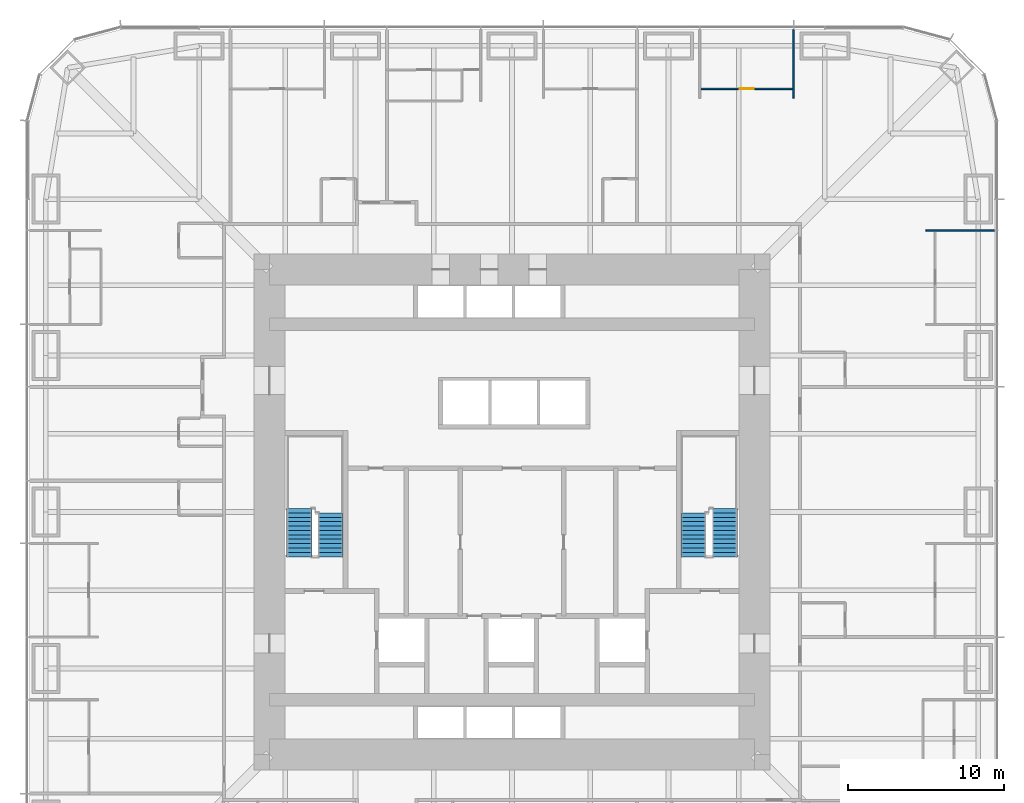
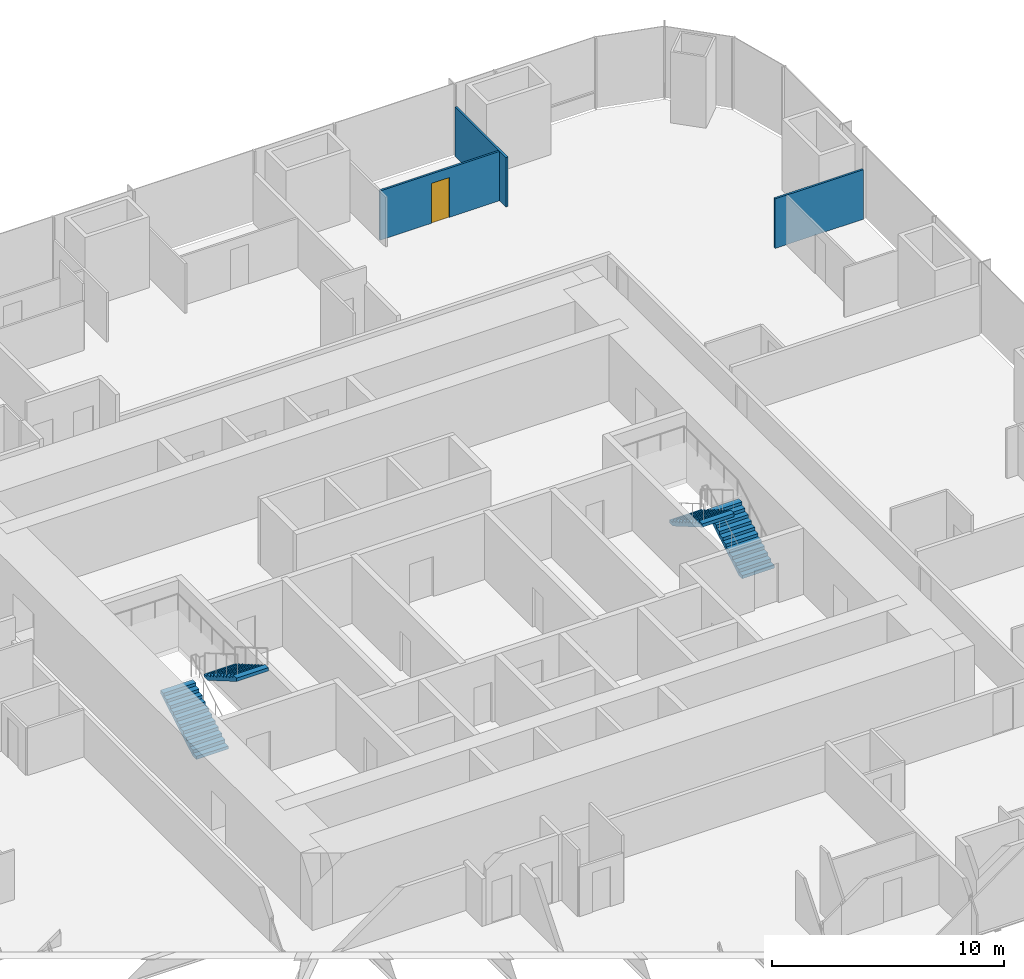
# One storey, part 16 of 17: 4 stair flights, 3 walls, 1 door, 1 opening, 2 elements without a shape of their own.
"""IFC4 building model written with IfcOpenShell, lengths in metres."""

from ifc_helpers import new_model, si_unit, direction, frame, frame_2d, origin, place, context, subcontext, project, spatial, polyline, rectangle, outline, extrude, material, layer, layer_set, type_object, element, fill, aggregate, save


model = new_model("IFC4")

# Units and contexts
model_context = context("Model", 3, precision=1e-05, world=origin(), true_north=direction((0.0, 1.0)))
body_context = subcontext(model_context, "Body", "Model", "MODEL_VIEW")
ifc_project = project(units=[si_unit("LENGTHUNIT", "METRE"), si_unit("AREAUNIT", "SQUARE_METRE"), si_unit("VOLUMEUNIT", "CUBIC_METRE"), si_unit("PLANEANGLEUNIT", "RADIAN"), si_unit("MASSUNIT", "GRAM", prefix="KILO")], contexts=[model_context])

# Site, building, storey
site_placement = place(None, origin())
site = spatial("IfcSite", under=ifc_project, at=site_placement, CompositionType="ELEMENT")
building_placement = place(site_placement, origin())
building = spatial("IfcBuilding", under=site, at=building_placement, Name="Khuree Lantern Residences", CompositionType="ELEMENT")
storey_placement = place(building_placement, frame((0.0, 0.0, 92.25)))
storey = spatial("IfcBuildingStorey", under=building, at=storey_placement, Name="L23", CompositionType="ELEMENT", Elevation=92.25)

# Walls
ifc_material_1 = material(Name="Gypsum board on steel studs", Category="steel")
ifc_layer = layer(ifc_material_1, 0.10009765625)
ifc_layer_set = layer_set([ifc_layer], Name="PARTITION PT100")
wall_type = type_object("IfcWallType", Name="PARTITION PT100", PredefinedType="PARTITIONING", material=ifc_layer_set)
for number, where, z_axis, x_axis, name in (
    (1, (26.449951171875, 18.0, 0.0), (0.0, 0.0, 1.0), (1.0, 0.0, 0.0), "L23 PARTITION 02"),
    (2, (18.0, 26.449951171875, 0.0), (0.0, 0.0, 1.0), (0.0, 1.0, 0.0), "L23 PARTITION 02"),
):
    element("IfcWall", number, at=place(storey_placement, frame(where, z_axis=z_axis, x_axis=x_axis)), inside=storey, type_object=wall_type, Name=name, PredefinedType="PARTITIONING", context=body_context, shape_type="SweptSolid", body=[
        extrude(rectangle(XDim=4.400146484375, YDim=0.10009765625, at=frame_2d((2.2001953125, 0.0))), origin(), (0.0, 0.0, 1.0), 2.610107421875),
    ])

# Wall, opening, door
wall_placement = place(storey_placement, frame((18.0, 27.050048828125, 0.0), z_axis=(0.0, 0.0, 1.0), x_axis=(-1.0, 0.0, 0.0)))
wall = element("IfcWall", 3, at=wall_placement, inside=storey, type_object=wall_type, Name="L23 PARTITION 02", PredefinedType="PARTITIONING", context=body_context, shape_type="SweptSolid", body=[
    extrude(rectangle(XDim=6.0, YDim=0.10009765625, at=frame_2d((3.0, 0.0))), origin(), (0.0, 0.0, 1.0), 2.60009765625),
])
opening_placement = place(wall_placement, frame((2.550048828125, 0.0, 0.0)))
opening = element("IfcOpeningElement", 4, at=opening_placement, cuts=wall, Name="Opening 23-024", PredefinedType="OPENING", context=body_context, shape_type="SweptSolid", body=[
    extrude(rectangle(XDim=0.89990234375, YDim=2.10009765625, at=frame_2d((0.449951171875, 1.050048828125))), frame((0.0, 0.06005859375, 0.0), z_axis=(0.0, -1.0, 0.0), x_axis=(1.0, 0.0, 0.0)), (0.0, 0.0, 1.0), 0.1201171875),
])
ifc_material_2 = material(Name="Timber door leaf in hardwood frame", Category="wood")
door_type = type_object("IfcDoorType", Name="BEDROOM DOOR 900X2100", OperationType="SINGLE_SWING_LEFT", PredefinedType="DOOR", material=ifc_material_2)
door_placement = place(opening_placement, origin())
door = element("IfcDoor", 5, at=door_placement, inside=storey, type_object=door_type, Name="Bedroom door 23-024", OperationType="SINGLE_SWING_LEFT", OverallHeight=2.10009765625, OverallWidth=0.89990234375, PredefinedType="DOOR", context=body_context, shape_type="SweptSolid", body=[
    extrude(rectangle(XDim=0.89990234375, YDim=2.10009765625, at=frame_2d((0.449951171875, 1.050048828125))), frame((0.0, 0.02490234375, 0.0), z_axis=(0.0, -1.0, 0.0), x_axis=(1.0, 0.0, 0.0)), (0.0, 0.0, 1.0), 0.050048828125),
])
fill(opening, door)

# Stair, stair flights
ifc_material_3 = material(Name="Concrete C40/50", Category="concrete")
stair_type = type_object("IfcStairType", Name="STAIR ST1 HALF TURN 3600", PredefinedType="HALF_TURN_STAIR", material=ifc_material_3)
stair_1_placement = place(storey_placement, origin())
stair_1 = element("IfcStair", 6, at=stair_1_placement, inside=storey, type_object=stair_type, Name="Stair ST1", PredefinedType="HALF_TURN_STAIR")
stair_flight_type = type_object("IfcStairFlightType", Name="STAIR FLIGHT SF1 1600", PredefinedType="STRAIGHT", material=ifc_material_3)
stair_flight_1_placement = place(storey_placement, frame((-13.60009765625, -2.860107421875, 0.0), z_axis=(0.0, 0.0, 1.0), x_axis=(0.0, 1.0, 0.0)))
stair_flight_1 = element("IfcStairFlight", 7, at=stair_flight_1_placement, type_object=stair_flight_type, Name="ST1 flight 1", NumberOfRisers=12, NumberOfTreads=11, PredefinedType="STRAIGHT", RiserHeight=0.163043478, TreadLength=0.28, context=body_context, shape_type="SweptSolid", body=[
    extrude(outline(polyline([(0.0, 0.0), (0.0, 0.1630859375), (0.280029296875, 0.1630859375), (0.280029296875, 0.326171875), (0.56005859375, 0.326171875), (0.56005859375, 0.489013671875), (0.840087890625, 0.489013671875), (0.840087890625, 0.652099609375), (1.1201171875, 0.652099609375), (1.1201171875, 0.815185546875), (1.39990234375, 0.815185546875), (1.39990234375, 0.978271484375), (1.679931640625, 0.978271484375), (1.679931640625, 1.141357421875), (1.9599609375, 1.141357421875), (1.9599609375, 1.304443359375), (2.239990234375, 1.304443359375), (2.239990234375, 1.46728515625), (2.52001953125, 1.46728515625), (2.52001953125, 1.63037109375), (2.800048828125, 1.63037109375), (2.800048828125, 1.79345703125), (3.080078125, 1.79345703125), (3.080078125, 1.95654296875), (3.080078125, 1.6201171875), (0.2978515625, 0.0), (0.0, 0.0)])), frame((0.0, 0.800048828125, 0.0), z_axis=(0.0, -1.0, 0.0), x_axis=(1.0, 0.0, 0.0)), (0.0, 0.0, 1.0), 1.60009765625),
])
stair_flight_2_placement = place(storey_placement, frame((-11.60009765625, -0.06005859375, 1.95654296875), z_axis=(0.0, 0.0, 1.0), x_axis=(0.0, -1.0, 0.0)))
stair_flight_2 = element("IfcStairFlight", 8, at=stair_flight_2_placement, type_object=stair_flight_type, Name="ST1 flight 2", NumberOfRisers=11, NumberOfTreads=10, PredefinedType="STRAIGHT", RiserHeight=0.163043478, TreadLength=0.28, context=body_context, shape_type="SweptSolid", body=[
    extrude(outline(polyline([(0.0, 0.0), (0.0, 0.1630859375), (0.280029296875, 0.1630859375), (0.280029296875, 0.326171875), (0.56005859375, 0.326171875), (0.56005859375, 0.489013671875), (0.840087890625, 0.489013671875), (0.840087890625, 0.652099609375), (1.1201171875, 0.652099609375), (1.1201171875, 0.815185546875), (1.39990234375, 0.815185546875), (1.39990234375, 0.978271484375), (1.679931640625, 0.978271484375), (1.679931640625, 1.141357421875), (1.9599609375, 1.141357421875), (1.9599609375, 1.304443359375), (2.239990234375, 1.304443359375), (2.239990234375, 1.46728515625), (2.52001953125, 1.46728515625), (2.52001953125, 1.63037109375), (2.800048828125, 1.63037109375), (2.800048828125, 1.79345703125), (2.800048828125, 1.45703125), (0.2978515625, 0.0), (0.0, 0.0)])), frame((0.0, 0.800048828125, 0.0), z_axis=(0.0, -1.0, 0.0), x_axis=(1.0, 0.0, 0.0)), (0.0, 0.0, 1.0), 1.60009765625),
])
aggregate(stair_1, [stair_flight_1, stair_flight_2])

stair_2_placement = place(storey_placement, origin())
stair_2 = element("IfcStair", 9, at=stair_2_placement, inside=storey, type_object=stair_type, Name="Stair ST2", PredefinedType="HALF_TURN_STAIR")
stair_flight_3_placement = place(storey_placement, frame((13.60009765625, -2.860107421875, 0.0), z_axis=(0.0, 0.0, 1.0), x_axis=(0.0, 1.0, 0.0)))
stair_flight_3 = element("IfcStairFlight", 10, at=stair_flight_3_placement, type_object=stair_flight_type, Name="ST2 flight 1", NumberOfRisers=12, NumberOfTreads=11, PredefinedType="STRAIGHT", RiserHeight=0.163043478, TreadLength=0.28, context=body_context, shape_type="SweptSolid", body=[
    extrude(outline(polyline([(0.0, 0.0), (0.0, 0.1630859375), (0.280029296875, 0.1630859375), (0.280029296875, 0.326171875), (0.56005859375, 0.326171875), (0.56005859375, 0.489013671875), (0.840087890625, 0.489013671875), (0.840087890625, 0.652099609375), (1.1201171875, 0.652099609375), (1.1201171875, 0.815185546875), (1.39990234375, 0.815185546875), (1.39990234375, 0.978271484375), (1.679931640625, 0.978271484375), (1.679931640625, 1.141357421875), (1.9599609375, 1.141357421875), (1.9599609375, 1.304443359375), (2.239990234375, 1.304443359375), (2.239990234375, 1.46728515625), (2.52001953125, 1.46728515625), (2.52001953125, 1.63037109375), (2.800048828125, 1.63037109375), (2.800048828125, 1.79345703125), (3.080078125, 1.79345703125), (3.080078125, 1.95654296875), (3.080078125, 1.6201171875), (0.2978515625, 0.0), (0.0, 0.0)])), frame((0.0, 0.800048828125, 0.0), z_axis=(0.0, -1.0, 0.0), x_axis=(1.0, 0.0, 0.0)), (0.0, 0.0, 1.0), 1.60009765625),
])
stair_flight_4_placement = place(storey_placement, frame((11.60009765625, -0.06005859375, 1.95654296875), z_axis=(0.0, 0.0, 1.0), x_axis=(0.0, -1.0, 0.0)))
stair_flight_4 = element("IfcStairFlight", 11, at=stair_flight_4_placement, type_object=stair_flight_type, Name="ST2 flight 2", NumberOfRisers=11, NumberOfTreads=10, PredefinedType="STRAIGHT", RiserHeight=0.163043478, TreadLength=0.28, context=body_context, shape_type="SweptSolid", body=[
    extrude(outline(polyline([(0.0, 0.0), (0.0, 0.1630859375), (0.280029296875, 0.1630859375), (0.280029296875, 0.326171875), (0.56005859375, 0.326171875), (0.56005859375, 0.489013671875), (0.840087890625, 0.489013671875), (0.840087890625, 0.652099609375), (1.1201171875, 0.652099609375), (1.1201171875, 0.815185546875), (1.39990234375, 0.815185546875), (1.39990234375, 0.978271484375), (1.679931640625, 0.978271484375), (1.679931640625, 1.141357421875), (1.9599609375, 1.141357421875), (1.9599609375, 1.304443359375), (2.239990234375, 1.304443359375), (2.239990234375, 1.46728515625), (2.52001953125, 1.46728515625), (2.52001953125, 1.63037109375), (2.800048828125, 1.63037109375), (2.800048828125, 1.79345703125), (2.800048828125, 1.45703125), (0.2978515625, 0.0), (0.0, 0.0)])), frame((0.0, 0.800048828125, 0.0), z_axis=(0.0, -1.0, 0.0), x_axis=(1.0, 0.0, 0.0)), (0.0, 0.0, 1.0), 1.60009765625),
])
aggregate(stair_2, [stair_flight_3, stair_flight_4])

save(model, "model.ifc")
